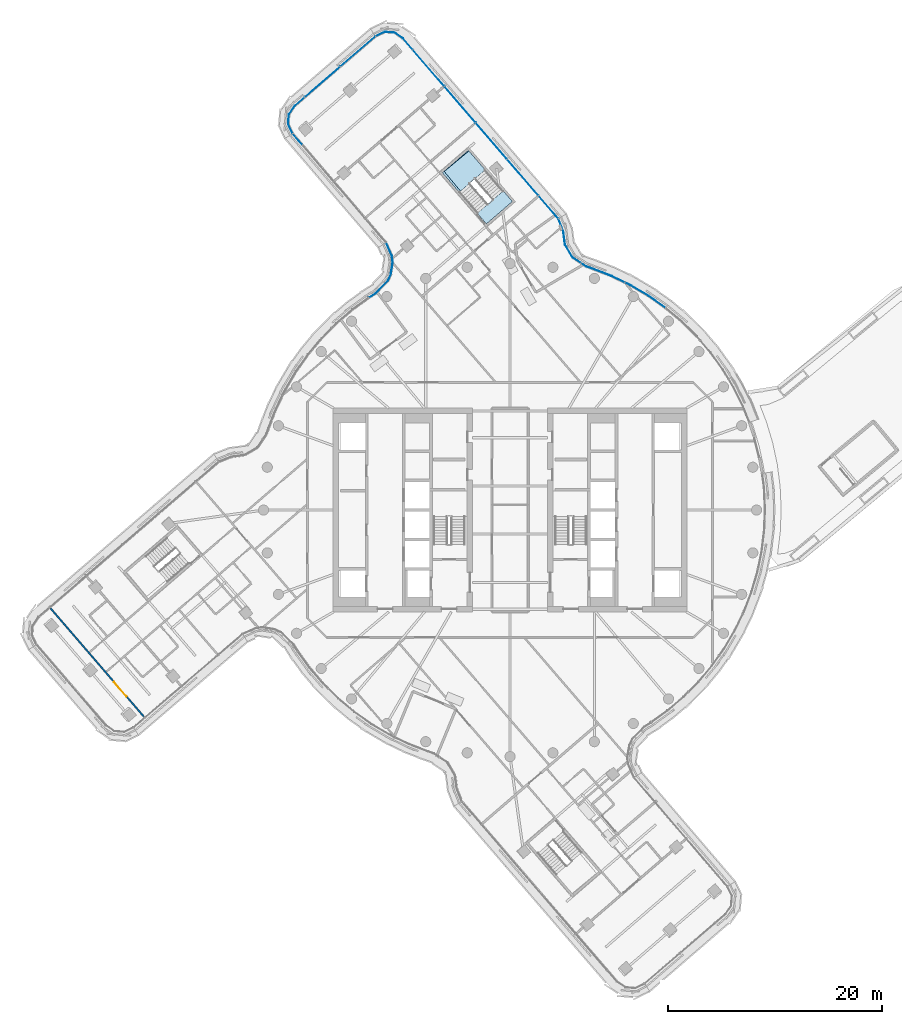
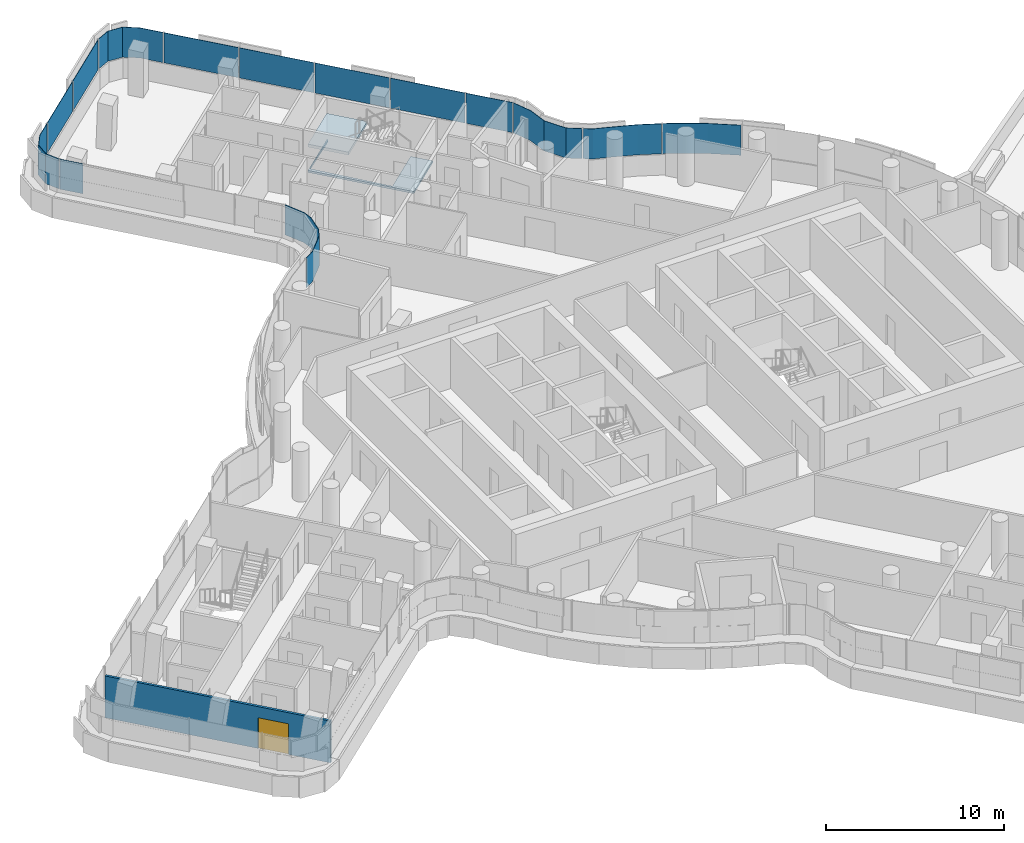
# One storey, part 20 of 34: 14 plates, 2 slabs, 1 door, 1 wall, 1 opening, 6 elements without a shape of their own.
"""IFC4 building model written with IfcOpenShell, lengths in metres."""

from ifc_helpers import new_model, si_unit, direction, frame, frame_2d, origin, place, context, subcontext, project, spatial, polyline, rectangle, outline, extrude, material, layer, layer_set, type_object, element, fill, aggregate, save


model = new_model("IFC4")

# Units and contexts
model_context = context("Model", 3, precision=1e-05, world=origin(), true_north=direction((0.0, 1.0)))
body_context = subcontext(model_context, "Body", "Model", "MODEL_VIEW")
ifc_project = project(units=[si_unit("LENGTHUNIT", "METRE"), si_unit("AREAUNIT", "SQUARE_METRE"), si_unit("VOLUMEUNIT", "CUBIC_METRE"), si_unit("PLANEANGLEUNIT", "RADIAN"), si_unit("MASSUNIT", "GRAM", prefix="KILO")], contexts=[model_context])

# Site, building, storey
site_placement = place(None, origin())
site = spatial("IfcSite", under=ifc_project, at=site_placement, CompositionType="ELEMENT")
building_placement = place(site_placement, origin())
building = spatial("IfcBuilding", under=site, at=building_placement, Name="Tamarind Cross Interchange Tower", CompositionType="ELEMENT")
storey_placement = place(building_placement, frame((0.0, 0.0, 182.5)))
storey = spatial("IfcBuildingStorey", under=building, at=storey_placement, Name="L45", CompositionType="ELEMENT", Elevation=182.5)

# Slab
ifc_material_1 = material(Name="Concrete C35", Category="concrete")
ifc_layer_1 = layer(ifc_material_1, 0.139892578125)
ifc_layer_set_1 = layer_set([ifc_layer_1], Name="Concrete C35")
slab_type_1 = type_object("IfcSlabType", Name="Composite slab 140 Concrete C35", PredefinedType="FLOOR", material=ifc_layer_set_1)
slab_1_placement = place(storey_placement, frame((0.0, 0.0, -0.139892578125)))
element("IfcSlab", 1, at=slab_1_placement, inside=storey, type_object=slab_type_1, Name="Floor slab L45", PredefinedType="FLOOR", context=body_context, shape_type="SweptSolid", body=[
    extrude(outline(polyline([(-2.202880859375, 26.701904296875), (0.22119140625, 28.79052734375), (-0.635009765625, 29.784423828125), (-2.971923828125, 27.77099609375), (-6.141357421875, 31.588134765625), (-3.83740234375, 33.501220703125), (-3.890869140625, 33.5634765625), (-6.315185546875, 31.474609375), (-2.202880859375, 26.701904296875)])), origin(), (0.0, 0.0, 1.0), 0.139892578125),
])

# Stair, slab
ifc_material_2 = material(Name="Exit stair")
stair_type = type_object("IfcStairType", Name="Exit stair", PredefinedType="HALF_TURN_STAIR", material=ifc_material_2)
stair_placement = place(storey_placement, origin())
stair = element("IfcStair", 2, at=stair_placement, inside=storey, type_object=stair_type, Name="L45 exit stair ST4", PredefinedType="HALF_TURN_STAIR")
ifc_material_3 = material(Name="Concrete C40", Category="concrete")
ifc_layer_2 = layer(ifc_material_3, 0.199951171875)
ifc_layer_set_2 = layer_set([ifc_layer_2], Name="Concrete C40")
slab_type_2 = type_object("IfcSlabType", Name="Stair landing", PredefinedType="LANDING", material=ifc_layer_set_2)
slab_2_placement = place(storey_placement, frame((0.0, 0.0, 1.60009765625)))
slab_2 = element("IfcSlab", 3, at=slab_2_placement, type_object=slab_type_2, Name="ST4 landing 1", PredefinedType="LANDING", context=body_context, shape_type="SweptSolid", body=[
    extrude(outline(polyline([(-2.31640625, 31.736083984375), (-3.890869140625, 33.5634765625), (-6.315185546875, 31.474609375), (-4.74072265625, 29.647216796875), (-2.31640625, 31.736083984375)])), origin(), (0.0, 0.0, 1.0), 0.199951171875),
])
aggregate(stair, [slab_2])

# Curtain wall, plates
ifc_material_4 = material(Name="Aluminium 6063-T6", Category="aluminium")
ifc_layer_3 = layer(ifc_material_4, 0.139892578125)
ifc_layer_set_3 = layer_set([ifc_layer_3], Name="Aluminium 6063-T6")
curtain_wall_type_1 = type_object("IfcCurtainWallType", Name="Hotel curtain wall, 4.5 m bays", PredefinedType="NOTDEFINED", material=ifc_layer_set_3)
curtain_wall_1_placement = place(storey_placement, origin())
curtain_wall_1 = element("IfcCurtainWall", 4, at=curtain_wall_1_placement, inside=storey, type_object=curtain_wall_type_1, Name="CWS-L45-00", PredefinedType="NOTDEFINED")
ifc_material_5 = material(Name="Laminated low-e glass 6+1.52+6", Category="glass")
ifc_layer_4 = layer(ifc_material_5, 0.02392578125)
ifc_layer_set_4 = layer_set([ifc_layer_4], Name="Laminated low-e glass 6+1.52+6")
plate_type_1 = type_object("IfcPlateType", Name="Vision panel CW2", PredefinedType="CURTAIN_PANEL", material=ifc_layer_set_4)
plate_1_placement = place(storey_placement, frame((0.0, 0.0, 1.39990234375)))
plate_1 = element("IfcPlate", 5, at=plate_1_placement, type_object=plate_type_1, Name="CWP-L45-00-00", PredefinedType="CURTAIN_PANEL", context=body_context, shape_type="SweptSolid", body=[
    extrude(outline(polyline([(-12.574951171875, 44.16943359375), (-15.82177734375, 41.3720703125), (-15.83740234375, 41.390380859375), (-12.5908203125, 44.187744140625), (-12.574951171875, 44.16943359375)])), origin(), (0.0, 0.0, 1.0), 2.06005859375),
])
plate_2_placement = place(storey_placement, frame((0.0, 0.0, 1.39990234375)))
plate_2 = element("IfcPlate", 6, at=plate_2_placement, type_object=plate_type_1, Name="CWP-L45-00-01", PredefinedType="CURTAIN_PANEL", context=body_context, shape_type="SweptSolid", body=[
    extrude(outline(polyline([(-15.8671875, 41.3330078125), (-19.114013671875, 38.53564453125), (-19.129638671875, 38.553955078125), (-15.883056640625, 41.35107421875), (-15.8671875, 41.3330078125)])), origin(), (0.0, 0.0, 1.0), 2.06005859375),
])
plate_3_placement = place(storey_placement, frame((0.0, 0.0, 1.39990234375)))
plate_3 = element("IfcPlate", 7, at=plate_3_placement, type_object=plate_type_1, Name="CWP-L45-00-02", PredefinedType="CURTAIN_PANEL", context=body_context, shape_type="SweptSolid", body=[
    extrude(outline(polyline([(-19.159423828125, 38.49658203125), (-20.087158203125, 37.697265625), (-20.622314453125, 36.91162109375), (-20.690673828125, 35.992431640625), (-20.289794921875, 35.161376953125), (-20.3115234375, 35.151123046875), (-20.715087890625, 35.98779296875), (-20.645751953125, 36.919677734375), (-20.105224609375, 37.71337890625), (-19.175048828125, 38.5146484375), (-19.159423828125, 38.49658203125)])), origin(), (0.0, 0.0, 1.0), 2.06005859375),
])
aggregate(curtain_wall_1, [plate_1, plate_2, plate_3])

# Curtain wall, plate
curtain_wall_2_placement = place(storey_placement, origin())
curtain_wall_2 = element("IfcCurtainWall", 8, at=curtain_wall_2_placement, inside=storey, type_object=curtain_wall_type_1, Name="CWS-L45-01", PredefinedType="NOTDEFINED")
plate_4_placement = place(storey_placement, frame((0.0, 0.0, 1.39990234375)))
plate_4 = element("IfcPlate", 9, at=plate_4_placement, type_object=plate_type_1, Name="CWP-L45-01-00", PredefinedType="CURTAIN_PANEL", context=body_context, shape_type="SweptSolid", body=[
    extrude(outline(polyline([(-20.259033203125, 35.1142578125), (-19.377197265625, 34.08447265625), (-19.3955078125, 34.06884765625), (-20.27734375, 35.0986328125), (-20.259033203125, 35.1142578125)])), origin(), (0.0, 0.0, 1.0), 2.06005859375),
])
aggregate(curtain_wall_2, [plate_4])

# Curtain wall, plates
curtain_wall_3_placement = place(storey_placement, origin())
curtain_wall_3 = element("IfcCurtainWall", 10, at=curtain_wall_3_placement, inside=storey, type_object=curtain_wall_type_1, Name="CWS-L45-11", PredefinedType="NOTDEFINED")
plate_5_placement = place(storey_placement, frame((0.0, 0.0, 1.39990234375)))
plate_5 = element("IfcPlate", 11, at=plate_5_placement, type_object=plate_type_1, Name="CWP-L45-11-00", PredefinedType="CURTAIN_PANEL", context=body_context, shape_type="SweptSolid", body=[
    extrude(outline(polyline([(4.47705078125, 27.203369140625), (2.66455078125, 29.306640625), (2.682861328125, 29.322509765625), (4.4951171875, 27.218994140625), (4.47705078125, 27.203369140625)])), origin(), (0.0, 0.0, 1.0), 2.06005859375),
])
plate_6_placement = place(storey_placement, frame((0.0, 0.0, 1.39990234375)))
plate_6 = element("IfcPlate", 12, at=plate_6_placement, type_object=plate_type_1, Name="CWP-L45-11-01", PredefinedType="CURTAIN_PANEL", context=body_context, shape_type="SweptSolid", body=[
    extrude(outline(polyline([(2.62548828125, 29.352294921875), (-0.2646484375, 32.70654296875), (-0.246337890625, 32.72216796875), (2.6435546875, 29.367919921875), (2.62548828125, 29.352294921875)])), origin(), (0.0, 0.0, 1.0), 2.06005859375),
])
plate_7_placement = place(storey_placement, frame((0.0, 0.0, 1.39990234375)))
plate_7 = element("IfcPlate", 13, at=plate_7_placement, type_object=plate_type_1, Name="CWP-L45-11-02", PredefinedType="CURTAIN_PANEL", context=body_context, shape_type="SweptSolid", body=[
    extrude(outline(polyline([(-0.3037109375, 32.751953125), (-3.19384765625, 36.106689453125), (-3.17578125, 36.122314453125), (-0.28564453125, 32.767822265625), (-0.3037109375, 32.751953125)])), origin(), (0.0, 0.0, 1.0), 2.06005859375),
])
plate_8_placement = place(storey_placement, frame((0.0, 0.0, 1.39990234375)))
plate_8 = element("IfcPlate", 14, at=plate_8_placement, type_object=plate_type_1, Name="CWP-L45-11-03", PredefinedType="CURTAIN_PANEL", context=body_context, shape_type="SweptSolid", body=[
    extrude(outline(polyline([(-3.233154296875, 36.152099609375), (-6.123291015625, 39.506591796875), (-6.10498046875, 39.522216796875), (-3.21484375, 36.167724609375), (-3.233154296875, 36.152099609375)])), origin(), (0.0, 0.0, 1.0), 2.06005859375),
])
plate_9_placement = place(storey_placement, frame((0.0, 0.0, 1.39990234375)))
plate_9 = element("IfcPlate", 15, at=plate_9_placement, type_object=plate_type_1, Name="CWP-L45-11-04", PredefinedType="CURTAIN_PANEL", context=body_context, shape_type="SweptSolid", body=[
    extrude(outline(polyline([(-6.162353515625, 39.552001953125), (-9.052490234375, 42.906494140625), (-9.034423828125, 42.922119140625), (-6.144287109375, 39.567626953125), (-6.162353515625, 39.552001953125)])), origin(), (0.0, 0.0, 1.0), 2.06005859375),
])
plate_10_placement = place(storey_placement, frame((0.0, 0.0, 1.39990234375)))
plate_10 = element("IfcPlate", 16, at=plate_10_placement, type_object=plate_type_1, Name="CWP-L45-11-05", PredefinedType="CURTAIN_PANEL", context=body_context, shape_type="SweptSolid", body=[
    extrude(outline(polyline([(-9.091796875, 42.951904296875), (-9.992431640625, 43.99755859375), (-10.7783203125, 44.532470703125), (-11.697265625, 44.600830078125), (-12.52783203125, 44.200439453125), (-12.538330078125, 44.221923828125), (-11.701904296875, 44.625244140625), (-10.77001953125, 44.555908203125), (-9.976318359375, 44.015625), (-9.073486328125, 42.9677734375), (-9.091796875, 42.951904296875)])), origin(), (0.0, 0.0, 1.0), 2.06005859375),
])
aggregate(curtain_wall_3, [plate_5, plate_6, plate_7, plate_8, plate_9, plate_10])

# Curtain wall, plate
ifc_layer_5 = layer(ifc_material_4, 0.14990234375)
ifc_layer_set_5 = layer_set([ifc_layer_5], Name="Aluminium 6063-T6")
curtain_wall_type_2 = type_object("IfcCurtainWallType", Name="Winter garden and crown curtain wall", PredefinedType="NOTDEFINED", material=ifc_layer_set_5)
curtain_wall_4_placement = place(storey_placement, origin())
curtain_wall_4 = element("IfcCurtainWall", 17, at=curtain_wall_4_placement, inside=storey, type_object=curtain_wall_type_2, Name="CWS-L45-02", PredefinedType="NOTDEFINED")
ifc_material_6 = material(Name="Laminated low-e glass 8+1.52+8", Category="glass")
ifc_layer_6 = layer(ifc_material_6, 0.030029296875)
ifc_layer_set_6 = layer_set([ifc_layer_6], Name="Laminated low-e glass 8+1.52+8")
plate_type_2 = type_object("IfcPlateType", Name="Vision panel CW6", PredefinedType="CURTAIN_PANEL", material=ifc_layer_set_6)
plate_11_placement = place(storey_placement, frame((0.0, 0.0, 1.39990234375)))
plate_11 = element("IfcPlate", 18, at=plate_11_placement, type_object=plate_type_2, Name="CWP-L45-02-00", PredefinedType="CURTAIN_PANEL", context=body_context, shape_type="SweptSolid", body=[
    extrude(outline(polyline([(-11.5478515625, 24.93017578125), (-11.012451171875, 23.732177734375), (-10.931640625, 23.113525390625), (-11.123779296875, 21.931640625), (-11.3974609375, 21.367431640625), (-12.53076171875, 20.197265625), (-13.091552734375, 19.852783203125), (-13.148681640625, 19.811767578125), (-13.166259765625, 19.836181640625), (-13.108154296875, 19.8779296875), (-12.549560546875, 20.220947265625), (-11.42236328125, 21.385009765625), (-11.152587890625, 21.940673828125), (-10.9619140625, 23.114013671875), (-11.04150390625, 23.72412109375), (-11.5751953125, 24.91796875), (-11.5478515625, 24.93017578125)])), origin(), (0.0, 0.0, 1.0), 2.06005859375),
])
aggregate(curtain_wall_4, [plate_11])

# Curtain wall, plates
curtain_wall_5_placement = place(storey_placement, origin())
curtain_wall_5 = element("IfcCurtainWall", 19, at=curtain_wall_5_placement, inside=storey, type_object=curtain_wall_type_2, Name="CWS-L45-10", PredefinedType="NOTDEFINED")
plate_12_placement = place(storey_placement, frame((0.0, 0.0, 1.39990234375)))
plate_12 = element("IfcPlate", 20, at=plate_12_placement, type_object=plate_type_2, Name="CWP-L45-10-11", PredefinedType="CURTAIN_PANEL", context=body_context, shape_type="SweptSolid", body=[
    extrude(outline(polyline([(14.466552734375, 18.870849609375), (12.921142578125, 19.96435546875), (11.228271484375, 20.963134765625), (10.737060546875, 21.20068359375), (10.75, 21.2275390625), (11.242431640625, 20.989501953125), (12.937255859375, 19.989501953125), (14.48388671875, 18.895263671875), (14.466552734375, 18.870849609375)])), origin(), (0.0, 0.0, 1.0), 2.06005859375),
])
plate_13_placement = place(storey_placement, frame((0.0, 0.0, 1.39990234375)))
plate_13 = element("IfcPlate", 21, at=plate_13_placement, type_object=plate_type_2, Name="CWP-L45-10-12", PredefinedType="CURTAIN_PANEL", context=body_context, shape_type="SweptSolid", body=[
    extrude(outline(polyline([(10.68310546875, 21.226806640625), (9.458740234375, 21.818603515625), (7.61962890625, 22.52734375), (7.095458984375, 22.7109375), (6.62744140625, 23.020263671875), (6.64404296875, 23.04541015625), (7.10888671875, 22.738037109375), (7.6298828125, 22.555419921875), (9.470703125, 21.84619140625), (10.696044921875, 21.253662109375), (10.68310546875, 21.226806640625)])), origin(), (0.0, 0.0, 1.0), 2.06005859375),
])
plate_14_placement = place(storey_placement, frame((0.0, 0.0, 1.39990234375)))
plate_14 = element("IfcPlate", 22, at=plate_14_placement, type_object=plate_type_2, Name="CWP-L45-10-13", PredefinedType="CURTAIN_PANEL", context=body_context, shape_type="SweptSolid", body=[
    extrude(outline(polyline([(6.577392578125, 23.053466796875), (5.831298828125, 23.546875), (5.11572265625, 24.771484375), (4.952880859375, 26.010986328125), (4.502685546875, 27.155029296875), (4.530517578125, 27.166015625), (4.982177734375, 26.0185546875), (5.144775390625, 24.781494140625), (5.853759765625, 23.56787109375), (6.593994140625, 23.078369140625), (6.577392578125, 23.053466796875)])), origin(), (0.0, 0.0, 1.0), 2.06005859375),
])
aggregate(curtain_wall_5, [plate_12, plate_13, plate_14])

# Wall, opening, door
ifc_material_7 = material(Name="Gypsum board partition on steel studs", Category="steel")
ifc_layer_7 = layer(ifc_material_7, 0.14990234375)
ifc_layer_set_7 = layer_set([ifc_layer_7], Name="Gypsum board partition on steel studs")
wall_type = type_object("IfcWallType", Name="Partition 150 mm EI 120", PredefinedType="PARTITIONING", material=ifc_layer_set_7)
wall_placement = place(storey_placement, frame((-42.88818359375, -9.154052734375, 0.0), z_axis=(0.0, 0.0, 1.0), x_axis=(0.652715459728, -0.75760314719, 0.0)))
wall = element("IfcWall", 23, at=wall_placement, inside=storey, type_object=wall_type, Name="Partition L45-001", PredefinedType="PARTITIONING", context=body_context, shape_type="SweptSolid", body=[
    extrude(rectangle(XDim=13.402587890625, YDim=0.14990234375, at=frame_2d((6.701171875, 0.0))), origin(), (0.0, 0.0, 1.0), 2.864013671875),
])
opening_placement = place(wall_placement, frame((9.098876953125, 0.0, 0.0)))
opening = element("IfcOpeningElement", 24, at=opening_placement, cuts=wall, Name="Opening D01", PredefinedType="OPENING", context=body_context, shape_type="SweptSolid", body=[
    extrude(rectangle(XDim=1.800048828125, YDim=2.10009765625, at=frame_2d((0.89990234375, 1.050048828125))), frame((0.0, 0.0849609375, 0.0), z_axis=(0.0, -1.0, 0.0), x_axis=(1.0, 0.0, 0.0)), (0.0, 0.0, 1.0), 0.169921875),
])
ifc_material_8 = material(Name="Fire-resisting door set")
door_type = type_object("IfcDoorType", Name="Interior door 1800 x 2100 FD60S", OperationType="DOUBLE_DOOR_SINGLE_SWING", PredefinedType="DOOR", material=ifc_material_8)
door_placement = place(opening_placement, frame((1.800048828125, 0.0, 0.0), z_axis=(0.0, 0.0, 1.0), x_axis=(-1.0, 0.0, 0.0)))
door = element("IfcDoor", 25, at=door_placement, inside=storey, type_object=door_type, Name="Door D01", OperationType="DOUBLE_DOOR_SINGLE_SWING", OverallHeight=2.10009765625, OverallWidth=1.800048828125, PredefinedType="DOOR", context=body_context, shape_type="SweptSolid", body=[
    extrude(rectangle(XDim=1.800048828125, YDim=2.10009765625, at=frame_2d((0.89990234375, 1.050048828125))), frame((0.0, 0.02490234375, 0.0), z_axis=(0.0, -1.0, 0.0), x_axis=(1.0, 0.0, 0.0)), (0.0, 0.0, 1.0), 0.050048828125),
])
fill(opening, door)

save(model, "model.ifc")
